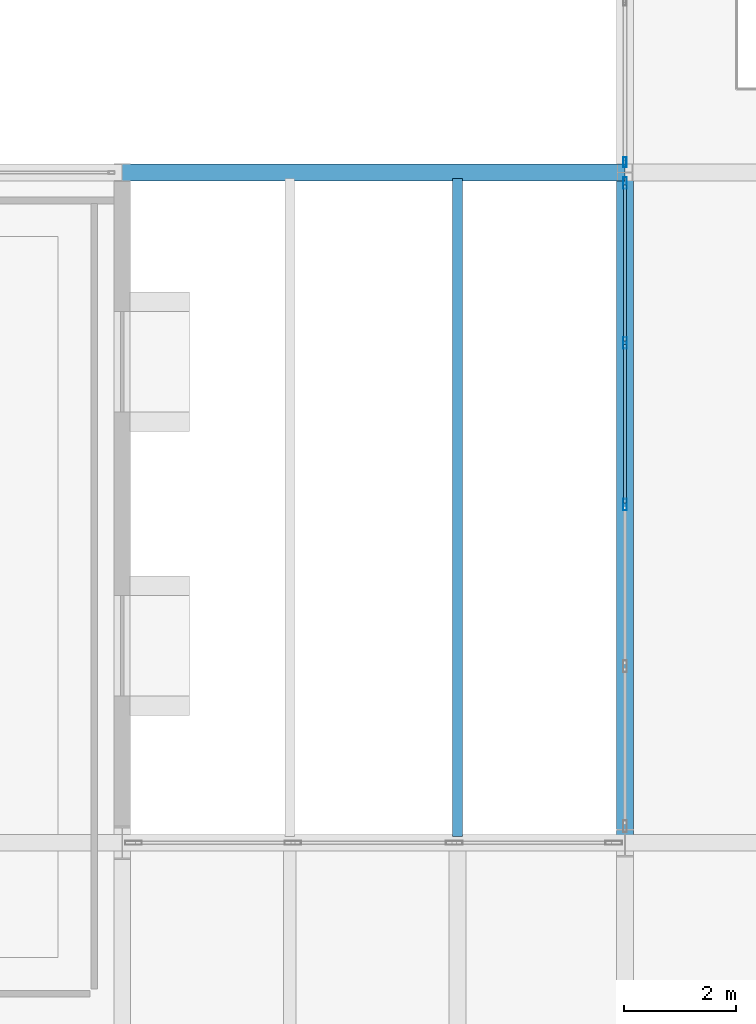
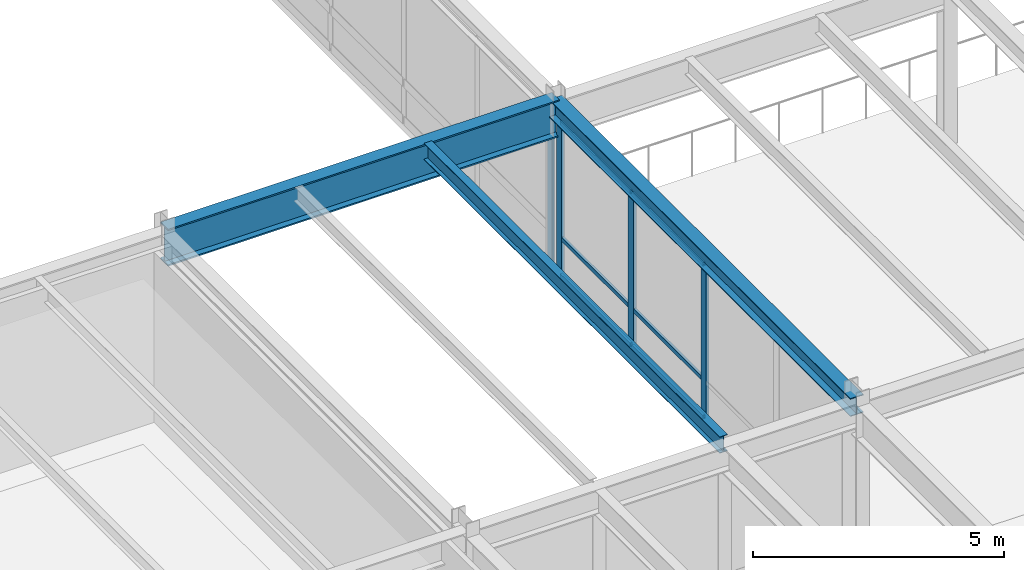
# One storey, part 31 of 127: 10 members, 3 beams, 2 elements without a shape of their own.
"""IFC4 building model written with IfcOpenShell, lengths in metres."""

from ifc_helpers import new_model, si_unit, direction, frame, origin, origin_2d, place, context, subcontext, project, spatial, hollow_rectangle, i_section, extrude, material, layer, layer_set, material_profile, profile_set, type_object, element, aggregate, save


model = new_model("IFC4")

# Units and contexts
model_context = context("Model", 3, precision=1e-05, world=origin(), true_north=direction((0.0, 1.0)))
body_context = subcontext(model_context, "Body", "Model", "MODEL_VIEW")
ifc_project = project(units=[si_unit("LENGTHUNIT", "METRE"), si_unit("AREAUNIT", "SQUARE_METRE"), si_unit("VOLUMEUNIT", "CUBIC_METRE"), si_unit("PLANEANGLEUNIT", "RADIAN"), si_unit("MASSUNIT", "GRAM", prefix="KILO")], contexts=[model_context])

# Site, building, storey
site_placement = place(None, origin())
site = spatial("IfcSite", under=ifc_project, at=site_placement, CompositionType="ELEMENT")
building_placement = place(site_placement, origin())
building = spatial("IfcBuilding", under=site, at=building_placement, Name="Montelvaro Courts of Justice", CompositionType="ELEMENT")
storey_placement = place(building_placement, frame((0.0, 0.0, 5.39990234375)))
storey = spatial("IfcBuildingStorey", under=building, at=storey_placement, Name="L01", CompositionType="ELEMENT", Elevation=5.39990234375)

# Beams
ifc_material_1 = material(Name="Steel S355", Category="steel")
ifc_material_profile_1 = material_profile(ifc_material_1, i_section(OverallWidth=0.300048828125, OverallDepth=0.43994140625, WebThickness=0.011474609375, FlangeThickness=0.02099609375, at=origin_2d()), Name="HEA 450")
ifc_profile_set_1 = profile_set([ifc_material_profile_1], Name="Steel S355")
beam_type_1 = type_object("IfcBeamType", Name="Beam_HEA450", PredefinedType="USERDEFINED", material=ifc_profile_set_1)
beam_1_placement = place(storey_placement, frame((54.0, 42.0, 4.0), z_axis=(0.0, 1.0, 0.0), x_axis=(-1.0, 0.0, 0.0)))
element("IfcBeam", 1, at=beam_1_placement, inside=storey, type_object=beam_type_1, Name="Beam B-18 L01", ObjectType="GIRDER", PredefinedType="USERDEFINED", context=body_context, shape_type="SweptSolid", body=[
    extrude(i_section(OverallWidth=0.300048828125, OverallDepth=0.43994140625, WebThickness=0.011474609375, FlangeThickness=0.02099609375, at=origin_2d()), origin(), (0.0, 0.0, 1.0), 12.0),
])
ifc_material_profile_2 = material_profile(ifc_material_1, i_section(OverallWidth=0.300048828125, OverallDepth=0.89990234375, WebThickness=0.0185546875, FlangeThickness=0.034912109375, at=origin_2d()), Name="HEB 900")
ifc_profile_set_2 = profile_set([ifc_material_profile_2], Name="Steel S355")
beam_type_2 = type_object("IfcBeamType", Name="Beam_HEB900", PredefinedType="USERDEFINED", material=ifc_profile_set_2)
beam_2_placement = place(storey_placement, frame((45.0, 54.0, 3.800048828125), z_axis=(1.0, 0.0, 0.0), x_axis=(0.0, 1.0, 0.0)))
element("IfcBeam", 2, at=beam_2_placement, inside=storey, type_object=beam_type_2, Name="Beam B-30 L01", ObjectType="GIRDER", PredefinedType="USERDEFINED", context=body_context, shape_type="SweptSolid", body=[
    extrude(i_section(OverallWidth=0.300048828125, OverallDepth=0.89990234375, WebThickness=0.0185546875, FlangeThickness=0.034912109375, at=origin_2d()), origin(), (0.0, 0.0, 1.0), 9.0),
])
ifc_material_profile_3 = material_profile(ifc_material_1, i_section(OverallWidth=0.179931640625, OverallDepth=0.39990234375, WebThickness=0.008544921875, FlangeThickness=0.013427734375, at=origin_2d()), Name="IPE 400")
ifc_profile_set_3 = profile_set([ifc_material_profile_3], Name="Steel S355")
beam_type_3 = type_object("IfcBeamType", Name="Beam_IPE400", PredefinedType="BEAM", material=ifc_profile_set_3)
beam_3_placement = place(storey_placement, frame((51.0, 42.110107421875, 4.050048828125), z_axis=(0.0, 1.0, 0.0), x_axis=(-1.0, 0.0, 0.0)))
element("IfcBeam", 3, at=beam_3_placement, inside=storey, type_object=beam_type_3, Name="Beam B-08 L01", PredefinedType="BEAM", context=body_context, shape_type="SweptSolid", body=[
    extrude(i_section(OverallWidth=0.179931640625, OverallDepth=0.39990234375, WebThickness=0.008544921875, FlangeThickness=0.013427734375, at=origin_2d()), origin(), (0.0, 0.0, 1.0), 11.77978515625),
])

# Curtain wall, member
ifc_material_2 = material(Name="Anodised aluminium EN AW-6063", Category="aluminium")
ifc_layer_1 = layer(ifc_material_2, 0.159912109375)
ifc_layer_set_1 = layer_set([ifc_layer_1], Name="Anodised aluminium EN AW-6063")
curtain_wall_type_1 = type_object("IfcCurtainWallType", Name="CurtainWall_24_1169x418", PredefinedType="USERDEFINED", material=ifc_layer_set_1)
curtain_wall_1_placement = place(storey_placement, origin())
curtain_wall_1 = element("IfcCurtainWall", 4, at=curtain_wall_1_placement, inside=storey, type_object=curtain_wall_type_1, Name="Curtain Wall CW-24 (L01)", ObjectType="CURTAIN WALL", PredefinedType="USERDEFINED")
ifc_material_profile_4 = material_profile(ifc_material_2, hollow_rectangle(XDim=0.06005859375, YDim=0.179931640625, WallThickness=0.00439453125, at=origin_2d()), Name="ALU-M 60x180")
ifc_profile_set_4 = profile_set([ifc_material_profile_4], Name="Anodised aluminium EN AW-6063")
member_type_1 = type_object("IfcMemberType", Name="CurtainWall_Mullion_60x180", PredefinedType="MULLION", material=ifc_profile_set_4)
member_1_placement = place(storey_placement, frame((54.0, 54.18505859375, 0.0), z_axis=(0.0, 0.0, 1.0), x_axis=(1.0, 0.0, 0.0)))
member_1 = element("IfcMember", 5, at=member_1_placement, type_object=member_type_1, Name="CW-24 mullion 5", PredefinedType="MULLION", context=body_context, shape_type="SweptSolid", body=[
    extrude(hollow_rectangle(XDim=0.06005859375, YDim=0.179931640625, WallThickness=0.00439453125, at=origin_2d()), origin(), (0.0, 0.0, 1.0), 3.775146484375),
])
aggregate(curtain_wall_1, [member_1])

# Curtain wall, members
ifc_layer_2 = layer(ifc_material_2, 0.159912109375)
ifc_layer_set_2 = layer_set([ifc_layer_2], Name="Anodised aluminium EN AW-6063")
curtain_wall_type_2 = type_object("IfcCurtainWallType", Name="CurtainWall_19_1159x418", PredefinedType="USERDEFINED", material=ifc_layer_set_2)
curtain_wall_2_placement = place(storey_placement, origin())
curtain_wall_2 = element("IfcCurtainWall", 6, at=curtain_wall_2_placement, inside=storey, type_object=curtain_wall_type_2, Name="Curtain Wall CW-19 (L01)", ObjectType="CURTAIN WALL", PredefinedType="USERDEFINED")
ifc_material_profile_5 = material_profile(ifc_material_2, hollow_rectangle(XDim=0.06494140625, YDim=0.2099609375, WallThickness=0.0048828125, at=origin_2d()), Name="ALU-M 65x210")
ifc_profile_set_5 = profile_set([ifc_material_profile_5], Name="Anodised aluminium EN AW-6063")
member_type_2 = type_object("IfcMemberType", Name="CurtainWall_Mullion_65x210", PredefinedType="MULLION", material=ifc_profile_set_5)
member_2_placement = place(storey_placement, frame((54.0, 53.8125, 0.0), z_axis=(0.0, 0.0, 1.0), x_axis=(1.0, 0.0, 0.0)))
member_2 = element("IfcMember", 7, at=member_2_placement, type_object=member_type_2, Name="CW-19 mullion 1", PredefinedType="MULLION", context=body_context, shape_type="SweptSolid", body=[
    extrude(hollow_rectangle(XDim=0.06494140625, YDim=0.2099609375, WallThickness=0.0048828125, at=origin_2d()), origin(), (0.0, 0.0, 1.0), 3.775146484375),
])
member_3_placement = place(storey_placement, frame((54.0, 50.949951171875, 0.0), z_axis=(0.0, 0.0, 1.0), x_axis=(1.0, 0.0, 0.0)))
member_3 = element("IfcMember", 8, at=member_3_placement, type_object=member_type_2, Name="CW-19 mullion 2", PredefinedType="MULLION", context=body_context, shape_type="SweptSolid", body=[
    extrude(hollow_rectangle(XDim=0.06494140625, YDim=0.2099609375, WallThickness=0.0048828125, at=origin_2d()), origin(), (0.0, 0.0, 1.0), 3.775146484375),
])
member_4_placement = place(storey_placement, frame((54.0, 48.054931640625, 0.0), z_axis=(0.0, 0.0, 1.0), x_axis=(1.0, 0.0, 0.0)))
member_4 = element("IfcMember", 9, at=member_4_placement, type_object=member_type_2, Name="CW-19 mullion 3", PredefinedType="MULLION", context=body_context, shape_type="SweptSolid", body=[
    extrude(hollow_rectangle(XDim=0.06494140625, YDim=0.2099609375, WallThickness=0.0048828125, at=origin_2d()), origin(), (0.0, 0.0, 1.0), 3.775146484375),
])
ifc_material_profile_6 = material_profile(ifc_material_2, hollow_rectangle(XDim=0.06005859375, YDim=0.10009765625, WallThickness=0.00341796875, at=origin_2d()), Name="ALU-T 60x100")
ifc_profile_set_6 = profile_set([ifc_material_profile_6], Name="Anodised aluminium EN AW-6063")
member_type_3 = type_object("IfcMemberType", Name="CurtainWall_Transom_60x100", PredefinedType="USERDEFINED", material=ifc_profile_set_6)
member_5_placement = place(storey_placement, frame((54.0, 53.780029296875, 0.030029296875), z_axis=(0.0, -1.0, 0.0), x_axis=(1.0, 0.0, 0.0)))
member_5 = element("IfcMember", 10, at=member_5_placement, type_object=member_type_3, Name="CW-19 transom 1.1", ObjectType="TRANSOM", PredefinedType="USERDEFINED", context=body_context, shape_type="SweptSolid", body=[
    extrude(hollow_rectangle(XDim=0.06005859375, YDim=0.10009765625, WallThickness=0.00341796875, at=origin_2d()), origin(), (0.0, 0.0, 1.0), 2.797607421875),
])
member_6_placement = place(storey_placement, frame((54.0, 53.780029296875, 0.9501953125), z_axis=(0.0, -1.0, 0.0), x_axis=(1.0, 0.0, 0.0)))
member_6 = element("IfcMember", 11, at=member_6_placement, type_object=member_type_3, Name="CW-19 transom 1.2", ObjectType="TRANSOM", PredefinedType="USERDEFINED", context=body_context, shape_type="SweptSolid", body=[
    extrude(hollow_rectangle(XDim=0.06005859375, YDim=0.10009765625, WallThickness=0.00341796875, at=origin_2d()), origin(), (0.0, 0.0, 1.0), 2.797607421875),
])
member_7_placement = place(storey_placement, frame((54.0, 53.780029296875, 3.7451171875), z_axis=(0.0, -1.0, 0.0), x_axis=(1.0, 0.0, 0.0)))
member_7 = element("IfcMember", 12, at=member_7_placement, type_object=member_type_3, Name="CW-19 transom 1.3", ObjectType="TRANSOM", PredefinedType="USERDEFINED", context=body_context, shape_type="SweptSolid", body=[
    extrude(hollow_rectangle(XDim=0.06005859375, YDim=0.10009765625, WallThickness=0.00341796875, at=origin_2d()), origin(), (0.0, 0.0, 1.0), 2.797607421875),
])
member_8_placement = place(storey_placement, frame((54.0, 50.91748046875, 0.030029296875), z_axis=(0.0, -1.0, 0.0), x_axis=(1.0, 0.0, 0.0)))
member_8 = element("IfcMember", 13, at=member_8_placement, type_object=member_type_3, Name="CW-19 transom 2.1", ObjectType="TRANSOM", PredefinedType="USERDEFINED", context=body_context, shape_type="SweptSolid", body=[
    extrude(hollow_rectangle(XDim=0.06005859375, YDim=0.10009765625, WallThickness=0.00341796875, at=origin_2d()), origin(), (0.0, 0.0, 1.0), 2.830078125),
])
member_9_placement = place(storey_placement, frame((54.0, 50.91748046875, 0.9501953125), z_axis=(0.0, -1.0, 0.0), x_axis=(1.0, 0.0, 0.0)))
member_9 = element("IfcMember", 14, at=member_9_placement, type_object=member_type_3, Name="CW-19 transom 2.2", ObjectType="TRANSOM", PredefinedType="USERDEFINED", context=body_context, shape_type="SweptSolid", body=[
    extrude(hollow_rectangle(XDim=0.06005859375, YDim=0.10009765625, WallThickness=0.00341796875, at=origin_2d()), origin(), (0.0, 0.0, 1.0), 2.830078125),
])
member_10_placement = place(storey_placement, frame((54.0, 50.91748046875, 3.7451171875), z_axis=(0.0, -1.0, 0.0), x_axis=(1.0, 0.0, 0.0)))
member_10 = element("IfcMember", 15, at=member_10_placement, type_object=member_type_3, Name="CW-19 transom 2.3", ObjectType="TRANSOM", PredefinedType="USERDEFINED", context=body_context, shape_type="SweptSolid", body=[
    extrude(hollow_rectangle(XDim=0.06005859375, YDim=0.10009765625, WallThickness=0.00341796875, at=origin_2d()), origin(), (0.0, 0.0, 1.0), 2.830078125),
])
aggregate(curtain_wall_2, [member_2, member_3, member_4, member_5, member_6, member_7, member_8, member_9, member_10])

save(model, "model.ifc")
